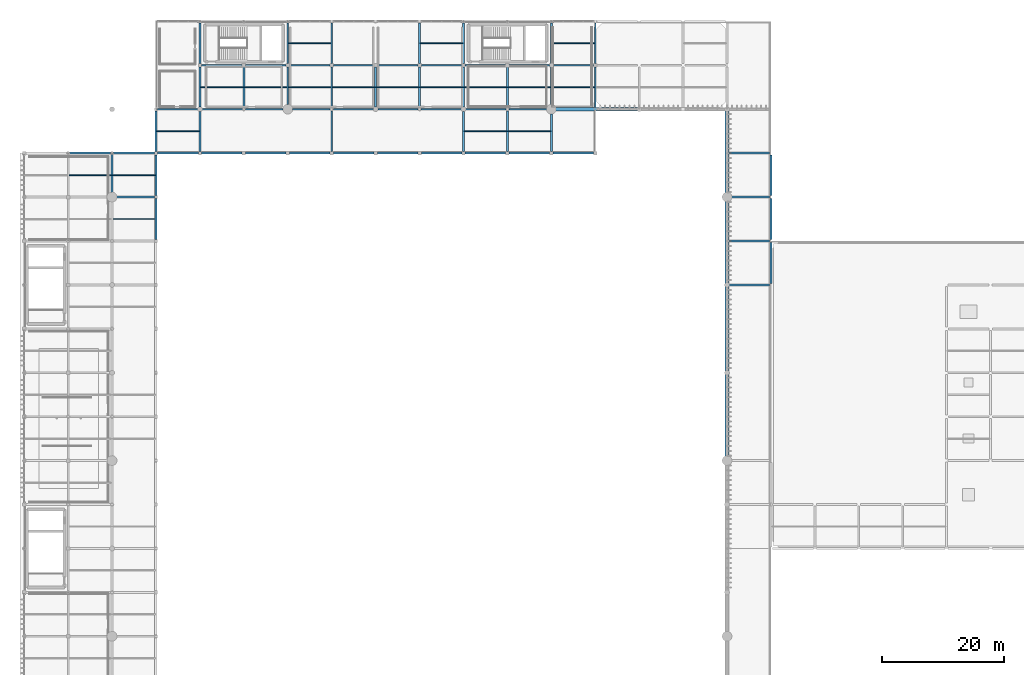
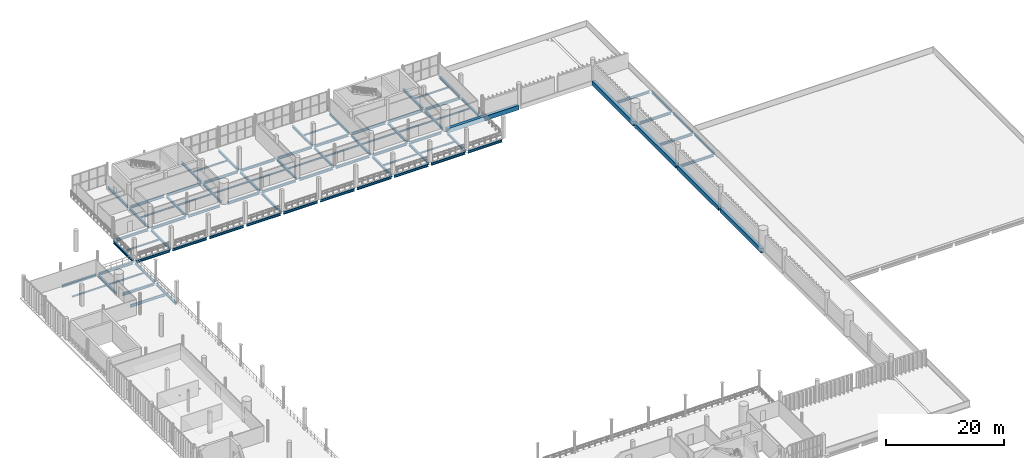
# One storey, part 41 of 81: 87 beams.
"""IFC4 building model written with IfcOpenShell, lengths in metres."""

from ifc_helpers import new_model, si_unit, direction, frame, origin, origin_2d, place, context, subcontext, project, spatial, rectangle, i_section, extrude, material, material_profile, profile_set, type_object, element, save


model = new_model("IFC4")

# Units and contexts
model_context = context("Model", 3, precision=1e-05, world=origin(), true_north=direction((0.0, 1.0)))
body_context = subcontext(model_context, "Body", "Model", "MODEL_VIEW")
ifc_project = project(units=[si_unit("LENGTHUNIT", "METRE"), si_unit("AREAUNIT", "SQUARE_METRE"), si_unit("VOLUMEUNIT", "CUBIC_METRE"), si_unit("PLANEANGLEUNIT", "RADIAN"), si_unit("MASSUNIT", "GRAM", prefix="KILO")], contexts=[model_context])

# Site, building, storey
site_placement = place(None, origin())
site = spatial("IfcSite", under=ifc_project, at=site_placement, CompositionType="ELEMENT")
building_placement = place(site_placement, origin())
building = spatial("IfcBuilding", under=site, at=building_placement, Name="Qandorah Velis Arena", CompositionType="ELEMENT")
storey_placement = place(building_placement, frame((0.0, 0.0, 18.60009765625)))
storey = spatial("IfcBuildingStorey", under=building, at=storey_placement, Name="L04", CompositionType="ELEMENT", Elevation=18.60009765625)

# Beams
ifc_material_1 = material(Name="Steel S355", Category="steel")
ifc_material_profile_1 = material_profile(ifc_material_1, i_section(OverallWidth=0.300048828125, OverallDepth=0.449951171875, WebThickness=0.013916015625, FlangeThickness=0.02587890625, FilletRadius=0.027099609375, at=origin_2d()), Name="HEB 450")
ifc_profile_set_1 = profile_set([ifc_material_profile_1], Name="Steel S355")
beam_type_1 = type_object("IfcBeamType", Name="STR-BM-HEB450", PredefinedType="BEAM", material=ifc_profile_set_1)
beam_1_placement = place(storey_placement, frame((14.39990234375, 101.550048828125, -0.4951171875), z_axis=(0.0, 1.0, 0.0), x_axis=(-1.0, 0.0, 0.0)))
element("IfcBeam", 1, at=beam_1_placement, inside=storey, type_object=beam_type_1, Name="Primary floor girder L04 Y-181", PredefinedType="BEAM", context=body_context, shape_type="SweptSolid", body=[
    extrude(i_section(OverallWidth=0.300048828125, OverallDepth=0.449951171875, WebThickness=0.013916015625, FlangeThickness=0.02587890625, FilletRadius=0.027099609375, at=origin_2d()), origin(), (0.0, 0.0, 1.0), 6.199951171875),
])
for number, where, z_axis, x_axis, name in (
    (2, (21.60009765625, 93.875, -0.4951171875), (0.0, 1.0, 0.0), (-1.0, 0.0, 0.0), "Primary floor girder L04 Y-193"),
    (3, (21.60009765625, 101.050048828125, -0.4951171875), (0.0, 1.0, 0.0), (-1.0, 0.0, 0.0), "Primary floor girder L04 Y-194"),
    (4, (21.60009765625, 108.27490234375, -0.4951171875), (0.0, 1.0, 0.0), (-1.0, 0.0, 0.0), "Primary floor girder L04 Y-195"),
):
    element("IfcBeam", number, at=place(storey_placement, frame(where, z_axis=z_axis, x_axis=x_axis)), inside=storey, type_object=beam_type_1, Name=name, PredefinedType="BEAM", context=body_context, shape_type="SweptSolid", body=[
        extrude(i_section(OverallWidth=0.300048828125, OverallDepth=0.449951171875, WebThickness=0.013916015625, FlangeThickness=0.02587890625, FilletRadius=0.027099609375, at=origin_2d()), origin(), (0.0, 0.0, 1.0), 6.675048828125),
    ])
beam_2_placement = place(storey_placement, frame((28.800048828125, 108.27490234375, -0.4951171875), z_axis=(0.0, 1.0, 0.0), x_axis=(-1.0, 0.0, 0.0)))
element("IfcBeam", 5, at=beam_2_placement, inside=storey, type_object=beam_type_1, Name="Primary floor girder L04 Y-199", PredefinedType="BEAM", context=body_context, shape_type="SweptSolid", body=[
    extrude(i_section(OverallWidth=0.300048828125, OverallDepth=0.449951171875, WebThickness=0.013916015625, FlangeThickness=0.02587890625, FilletRadius=0.027099609375, at=origin_2d()), origin(), (0.0, 0.0, 1.0), 6.5751953125),
])
beam_3_placement = place(storey_placement, frame((28.800048828125, 115.550048828125, -0.4951171875), z_axis=(0.0, 1.0, 0.0), x_axis=(-1.0, 0.0, 0.0)))
element("IfcBeam", 6, at=beam_3_placement, inside=storey, type_object=beam_type_1, Name="Primary floor girder L04 Y-200", PredefinedType="BEAM", context=body_context, shape_type="SweptSolid", body=[
    extrude(i_section(OverallWidth=0.300048828125, OverallDepth=0.449951171875, WebThickness=0.013916015625, FlangeThickness=0.02587890625, FilletRadius=0.027099609375, at=origin_2d()), origin(), (0.0, 0.0, 1.0), 6.574951171875),
])
for number, where, z_axis, x_axis, name in (
    (7, (28.800048828125, 122.675048828125, -0.4951171875), (0.0, 1.0, 0.0), (-1.0, 0.0, 0.0), "Primary floor girder L04 Y-201"),
    (8, (36.0, 115.449951171875, -0.4951171875), (0.0, 1.0, 0.0), (-1.0, 0.0, 0.0), "Primary floor girder L04 Y-203"),
):
    element("IfcBeam", number, at=place(storey_placement, frame(where, z_axis=z_axis, x_axis=x_axis)), inside=storey, type_object=beam_type_1, Name=name, PredefinedType="BEAM", context=body_context, shape_type="SweptSolid", body=[
        extrude(i_section(OverallWidth=0.300048828125, OverallDepth=0.449951171875, WebThickness=0.013916015625, FlangeThickness=0.02587890625, FilletRadius=0.027099609375, at=origin_2d()), origin(), (0.0, 0.0, 1.0), 6.675048828125),
    ])
beam_4_placement = place(storey_placement, frame((43.199951171875, 115.949951171875, -0.4951171875), z_axis=(0.0, 1.0, 0.0), x_axis=(-1.0, 0.0, 0.0)))
element("IfcBeam", 9, at=beam_4_placement, inside=storey, type_object=beam_type_1, Name="Primary floor girder L04 Y-206", PredefinedType="BEAM", context=body_context, shape_type="SweptSolid", body=[
    extrude(i_section(OverallWidth=0.300048828125, OverallDepth=0.449951171875, WebThickness=0.013916015625, FlangeThickness=0.02587890625, FilletRadius=0.027099609375, at=origin_2d()), origin(), (0.0, 0.0, 1.0), 6.175048828125),
])
for number, where, z_axis, x_axis, name in (
    (10, (43.199951171875, 122.675048828125, -0.4951171875), (0.0, 1.0, 0.0), (-1.0, 0.0, 0.0), "Primary floor girder L04 Y-207"),
    (11, (50.39990234375, 108.27490234375, -0.4951171875), (0.0, 1.0, 0.0), (-1.0, 0.0, 0.0), "Primary floor girder L04 Y-211"),
    (12, (50.39990234375, 115.449951171875, -0.4951171875), (0.0, 1.0, 0.0), (-1.0, 0.0, 0.0), "Primary floor girder L04 Y-212"),
    (13, (50.39990234375, 122.675048828125, -0.4951171875), (0.0, 1.0, 0.0), (-1.0, 0.0, 0.0), "Primary floor girder L04 Y-213"),
):
    element("IfcBeam", number, at=place(storey_placement, frame(where, z_axis=z_axis, x_axis=x_axis)), inside=storey, type_object=beam_type_1, Name=name, PredefinedType="BEAM", context=body_context, shape_type="SweptSolid", body=[
        extrude(i_section(OverallWidth=0.300048828125, OverallDepth=0.449951171875, WebThickness=0.013916015625, FlangeThickness=0.02587890625, FilletRadius=0.027099609375, at=origin_2d()), origin(), (0.0, 0.0, 1.0), 6.675048828125),
    ])
beam_5_placement = place(storey_placement, frame((57.60009765625, 115.550048828125, -0.4951171875), z_axis=(0.0, 1.0, 0.0), x_axis=(-1.0, 0.0, 0.0)))
element("IfcBeam", 14, at=beam_5_placement, inside=storey, type_object=beam_type_1, Name="Primary floor girder L04 Y-215", PredefinedType="BEAM", context=body_context, shape_type="SweptSolid", body=[
    extrude(i_section(OverallWidth=0.300048828125, OverallDepth=0.449951171875, WebThickness=0.013916015625, FlangeThickness=0.02587890625, FilletRadius=0.027099609375, at=origin_2d()), origin(), (0.0, 0.0, 1.0), 6.574951171875),
])
for number, where, z_axis, x_axis, name in (
    (15, (64.800048828125, 115.449951171875, -0.4951171875), (0.0, 1.0, 0.0), (-1.0, 0.0, 0.0), "Primary floor girder L04 Y-218"),
    (16, (64.800048828125, 122.675048828125, -0.4951171875), (0.0, 1.0, 0.0), (-1.0, 0.0, 0.0), "Primary floor girder L04 Y-219"),
):
    element("IfcBeam", number, at=place(storey_placement, frame(where, z_axis=z_axis, x_axis=x_axis)), inside=storey, type_object=beam_type_1, Name=name, PredefinedType="BEAM", context=body_context, shape_type="SweptSolid", body=[
        extrude(i_section(OverallWidth=0.300048828125, OverallDepth=0.449951171875, WebThickness=0.013916015625, FlangeThickness=0.02587890625, FilletRadius=0.027099609375, at=origin_2d()), origin(), (0.0, 0.0, 1.0), 6.675048828125),
    ])
beam_6_placement = place(storey_placement, frame((72.0, 108.27490234375, -0.4951171875), z_axis=(0.0, 1.0, 0.0), x_axis=(-1.0, 0.0, 0.0)))
element("IfcBeam", 17, at=beam_6_placement, inside=storey, type_object=beam_type_1, Name="Primary floor girder L04 Y-223", PredefinedType="BEAM", context=body_context, shape_type="SweptSolid", body=[
    extrude(i_section(OverallWidth=0.300048828125, OverallDepth=0.449951171875, WebThickness=0.013916015625, FlangeThickness=0.02587890625, FilletRadius=0.027099609375, at=origin_2d()), origin(), (0.0, 0.0, 1.0), 6.5751953125),
])
beam_7_placement = place(storey_placement, frame((72.0, 115.550048828125, -0.4951171875), z_axis=(0.0, 1.0, 0.0), x_axis=(-1.0, 0.0, 0.0)))
element("IfcBeam", 18, at=beam_7_placement, inside=storey, type_object=beam_type_1, Name="Primary floor girder L04 Y-224", PredefinedType="BEAM", context=body_context, shape_type="SweptSolid", body=[
    extrude(i_section(OverallWidth=0.300048828125, OverallDepth=0.449951171875, WebThickness=0.013916015625, FlangeThickness=0.02587890625, FilletRadius=0.027099609375, at=origin_2d()), origin(), (0.0, 0.0, 1.0), 6.574951171875),
])
for number, where, z_axis, x_axis, name in (
    (19, (72.0, 122.675048828125, -0.4951171875), (0.0, 1.0, 0.0), (-1.0, 0.0, 0.0), "Primary floor girder L04 Y-225"),
    (20, (79.199951171875, 108.27490234375, -0.4951171875), (0.0, 1.0, 0.0), (-1.0, 0.0, 0.0), "Primary floor girder L04 Y-228"),
    (21, (79.199951171875, 115.449951171875, -0.4951171875), (0.0, 1.0, 0.0), (-1.0, 0.0, 0.0), "Primary floor girder L04 Y-229"),
):
    element("IfcBeam", number, at=place(storey_placement, frame(where, z_axis=z_axis, x_axis=x_axis)), inside=storey, type_object=beam_type_1, Name=name, PredefinedType="BEAM", context=body_context, shape_type="SweptSolid", body=[
        extrude(i_section(OverallWidth=0.300048828125, OverallDepth=0.449951171875, WebThickness=0.013916015625, FlangeThickness=0.02587890625, FilletRadius=0.027099609375, at=origin_2d()), origin(), (0.0, 0.0, 1.0), 6.675048828125),
    ])
for number, where, z_axis, x_axis, name in (
    (22, (86.39990234375, 108.27490234375, -0.4951171875), (0.0, 1.0, 0.0), (-1.0, 0.0, 0.0), "Primary floor girder L04 Y-233"),
    (23, (86.39990234375, 115.949951171875, -0.4951171875), (0.0, 1.0, 0.0), (-1.0, 0.0, 0.0), "Primary floor girder L04 Y-234"),
):
    element("IfcBeam", number, at=place(storey_placement, frame(where, z_axis=z_axis, x_axis=x_axis)), inside=storey, type_object=beam_type_1, Name=name, PredefinedType="BEAM", context=body_context, shape_type="SweptSolid", body=[
        extrude(i_section(OverallWidth=0.300048828125, OverallDepth=0.449951171875, WebThickness=0.013916015625, FlangeThickness=0.02587890625, FilletRadius=0.027099609375, at=origin_2d()), origin(), (0.0, 0.0, 1.0), 6.175048828125),
    ])
for number, where, z_axis, x_axis, name in (
    (24, (86.39990234375, 122.675048828125, -0.4951171875), (0.0, 1.0, 0.0), (-1.0, 0.0, 0.0), "Primary floor girder L04 Y-235"),
    (25, (93.60009765625, 115.449951171875, -0.4951171875), (0.0, 1.0, 0.0), (-1.0, 0.0, 0.0), "Primary floor girder L04 Y-238"),
    (26, (93.60009765625, 122.675048828125, -0.4951171875), (0.0, 1.0, 0.0), (-1.0, 0.0, 0.0), "Primary floor girder L04 Y-239"),
    (27, (122.39990234375, 86.64990234375, -0.4951171875), (0.0, 1.0, 0.0), (-1.0, 0.0, 0.0), "Primary floor girder L04 Y-253"),
    (28, (122.39990234375, 93.875, -0.4951171875), (0.0, 1.0, 0.0), (-1.0, 0.0, 0.0), "Primary floor girder L04 Y-254"),
    (29, (122.39990234375, 101.050048828125, -0.4951171875), (0.0, 1.0, 0.0), (-1.0, 0.0, 0.0), "Primary floor girder L04 Y-255"),
):
    element("IfcBeam", number, at=place(storey_placement, frame(where, z_axis=z_axis, x_axis=x_axis)), inside=storey, type_object=beam_type_1, Name=name, PredefinedType="BEAM", context=body_context, shape_type="SweptSolid", body=[
        extrude(i_section(OverallWidth=0.300048828125, OverallDepth=0.449951171875, WebThickness=0.013916015625, FlangeThickness=0.02587890625, FilletRadius=0.027099609375, at=origin_2d()), origin(), (0.0, 0.0, 1.0), 6.675048828125),
    ])
ifc_material_profile_2 = material_profile(ifc_material_1, i_section(OverallWidth=0.300048828125, OverallDepth=0.5, WebThickness=0.014404296875, FlangeThickness=0.028076171875, FilletRadius=0.027099609375, at=origin_2d()), Name="HEB 500")
ifc_profile_set_2 = profile_set([ifc_material_profile_2], Name="Steel S355")
beam_type_2 = type_object("IfcBeamType", Name="STR-BM-HEB500", PredefinedType="BEAM", material=ifc_profile_set_2)
beam_8_placement = place(storey_placement, frame((115.550048828125, 86.39990234375, -0.52001953125), z_axis=(1.0, 0.0, 0.0), x_axis=(0.0, 1.0, 0.0)))
element("IfcBeam", 30, at=beam_8_placement, inside=storey, type_object=beam_type_2, Name="Primary floor girder L04 X-088", PredefinedType="BEAM", context=body_context, shape_type="SweptSolid", body=[
    extrude(i_section(OverallWidth=0.300048828125, OverallDepth=0.5, WebThickness=0.014404296875, FlangeThickness=0.028076171875, FilletRadius=0.027099609375, at=origin_2d()), origin(), (0.0, 0.0, 1.0), 6.599853515625),
])
beam_9_placement = place(storey_placement, frame((115.47509765625, 93.60009765625, -0.52001953125), z_axis=(1.0, 0.0, 0.0), x_axis=(0.0, 1.0, 0.0)))
element("IfcBeam", 31, at=beam_9_placement, inside=storey, type_object=beam_type_2, Name="Primary floor girder L04 X-094", PredefinedType="BEAM", context=body_context, shape_type="SweptSolid", body=[
    extrude(i_section(OverallWidth=0.300048828125, OverallDepth=0.5, WebThickness=0.014404296875, FlangeThickness=0.028076171875, FilletRadius=0.027099609375, at=origin_2d()), origin(), (0.0, 0.0, 1.0), 6.64990234375),
])
beam_10_placement = place(storey_placement, frame((15.14990234375, 100.800048828125, -0.52001953125), z_axis=(1.0, 0.0, 0.0), x_axis=(0.0, 1.0, 0.0)))
element("IfcBeam", 32, at=beam_10_placement, inside=storey, type_object=beam_type_2, Name="Primary floor girder L04 X-097", PredefinedType="BEAM", context=body_context, shape_type="SweptSolid", body=[
    extrude(i_section(OverallWidth=0.300048828125, OverallDepth=0.5, WebThickness=0.014404296875, FlangeThickness=0.028076171875, FilletRadius=0.027099609375, at=origin_2d()), origin(), (0.0, 0.0, 1.0), 6.2001953125),
])
beam_11_placement = place(storey_placement, frame((115.949951171875, 100.800048828125, -0.52001953125), z_axis=(1.0, 0.0, 0.0), x_axis=(0.0, 1.0, 0.0)))
element("IfcBeam", 33, at=beam_11_placement, inside=storey, type_object=beam_type_2, Name="Primary floor girder L04 X-098", PredefinedType="BEAM", context=body_context, shape_type="SweptSolid", body=[
    extrude(i_section(OverallWidth=0.300048828125, OverallDepth=0.5, WebThickness=0.014404296875, FlangeThickness=0.028076171875, FilletRadius=0.027099609375, at=origin_2d()), origin(), (0.0, 0.0, 1.0), 6.199951171875),
])
beam_12_placement = place(storey_placement, frame((7.449951171875, 108.0, -0.52001953125), z_axis=(1.0, 0.0, 0.0), x_axis=(0.0, 1.0, 0.0)))
element("IfcBeam", 34, at=beam_12_placement, inside=storey, type_object=beam_type_2, Name="Primary floor girder L04 X-100", PredefinedType="BEAM", context=body_context, shape_type="SweptSolid", body=[
    extrude(i_section(OverallWidth=0.300048828125, OverallDepth=0.5, WebThickness=0.014404296875, FlangeThickness=0.028076171875, FilletRadius=0.027099609375, at=origin_2d()), origin(), (0.0, 0.0, 1.0), 6.699951171875),
])
beam_13_placement = place(storey_placement, frame((14.64990234375, 108.0, -0.52001953125), z_axis=(1.0, 0.0, 0.0), x_axis=(0.0, 1.0, 0.0)))
element("IfcBeam", 35, at=beam_13_placement, inside=storey, type_object=beam_type_2, Name="Primary floor girder L04 X-101", PredefinedType="BEAM", context=body_context, shape_type="SweptSolid", body=[
    extrude(i_section(OverallWidth=0.300048828125, OverallDepth=0.5, WebThickness=0.014404296875, FlangeThickness=0.028076171875, FilletRadius=0.027099609375, at=origin_2d()), origin(), (0.0, 0.0, 1.0), 6.675048828125),
])
beam_14_placement = place(storey_placement, frame((21.875, 108.0, -0.52001953125), z_axis=(1.0, 0.0, 0.0), x_axis=(0.0, 1.0, 0.0)))
element("IfcBeam", 36, at=beam_14_placement, inside=storey, type_object=beam_type_2, Name="Primary floor girder L04 X-102", PredefinedType="BEAM", context=body_context, shape_type="SweptSolid", body=[
    extrude(i_section(OverallWidth=0.300048828125, OverallDepth=0.5, WebThickness=0.014404296875, FlangeThickness=0.028076171875, FilletRadius=0.027099609375, at=origin_2d()), origin(), (0.0, 0.0, 1.0), 6.64990234375),
])
for number, where, z_axis, x_axis, name in (
    (37, (29.074951171875, 108.0, -0.52001953125), (1.0, 0.0, 0.0), (0.0, 1.0, 0.0), "Primary floor girder L04 X-103"),
    (38, (36.27490234375, 108.0, -0.52001953125), (1.0, 0.0, 0.0), (0.0, 1.0, 0.0), "Primary floor girder L04 X-104"),
):
    element("IfcBeam", number, at=place(storey_placement, frame(where, z_axis=z_axis, x_axis=x_axis)), inside=storey, type_object=beam_type_2, Name=name, PredefinedType="BEAM", context=body_context, shape_type="SweptSolid", body=[
        extrude(i_section(OverallWidth=0.300048828125, OverallDepth=0.5, WebThickness=0.014404296875, FlangeThickness=0.028076171875, FilletRadius=0.027099609375, at=origin_2d()), origin(), (0.0, 0.0, 1.0), 6.650146484375),
    ])
for number, where, z_axis, x_axis, name in (
    (39, (43.47509765625, 108.0, -0.52001953125), (1.0, 0.0, 0.0), (0.0, 1.0, 0.0), "Primary floor girder L04 X-105"),
    (40, (50.675048828125, 108.0, -0.52001953125), (1.0, 0.0, 0.0), (0.0, 1.0, 0.0), "Primary floor girder L04 X-106"),
    (41, (57.875, 108.0, -0.52001953125), (1.0, 0.0, 0.0), (0.0, 1.0, 0.0), "Primary floor girder L04 X-107"),
):
    element("IfcBeam", number, at=place(storey_placement, frame(where, z_axis=z_axis, x_axis=x_axis)), inside=storey, type_object=beam_type_2, Name=name, PredefinedType="BEAM", context=body_context, shape_type="SweptSolid", body=[
        extrude(i_section(OverallWidth=0.300048828125, OverallDepth=0.5, WebThickness=0.014404296875, FlangeThickness=0.028076171875, FilletRadius=0.027099609375, at=origin_2d()), origin(), (0.0, 0.0, 1.0), 6.64990234375),
    ])
for number, where, z_axis, x_axis, name in (
    (42, (65.074951171875, 108.0, -0.52001953125), (1.0, 0.0, 0.0), (0.0, 1.0, 0.0), "Primary floor girder L04 X-108"),
    (43, (72.27490234375, 108.0, -0.52001953125), (1.0, 0.0, 0.0), (0.0, 1.0, 0.0), "Primary floor girder L04 X-109"),
):
    element("IfcBeam", number, at=place(storey_placement, frame(where, z_axis=z_axis, x_axis=x_axis)), inside=storey, type_object=beam_type_2, Name=name, PredefinedType="BEAM", context=body_context, shape_type="SweptSolid", body=[
        extrude(i_section(OverallWidth=0.300048828125, OverallDepth=0.5, WebThickness=0.014404296875, FlangeThickness=0.028076171875, FilletRadius=0.027099609375, at=origin_2d()), origin(), (0.0, 0.0, 1.0), 6.650146484375),
    ])
for number, where, z_axis, x_axis, name in (
    (44, (79.47509765625, 108.0, -0.52001953125), (1.0, 0.0, 0.0), (0.0, 1.0, 0.0), "Primary floor girder L04 X-110"),
    (45, (86.675048828125, 108.0, -0.52001953125), (1.0, 0.0, 0.0), (0.0, 1.0, 0.0), "Primary floor girder L04 X-111"),
    (46, (115.47509765625, 108.0, -0.52001953125), (1.0, 0.0, 0.0), (0.0, 1.0, 0.0), "Primary floor girder L04 X-112"),
):
    element("IfcBeam", number, at=place(storey_placement, frame(where, z_axis=z_axis, x_axis=x_axis)), inside=storey, type_object=beam_type_2, Name=name, PredefinedType="BEAM", context=body_context, shape_type="SweptSolid", body=[
        extrude(i_section(OverallWidth=0.300048828125, OverallDepth=0.5, WebThickness=0.014404296875, FlangeThickness=0.028076171875, FilletRadius=0.027099609375, at=origin_2d()), origin(), (0.0, 0.0, 1.0), 6.64990234375),
    ])
beam_15_placement = place(storey_placement, frame((21.85009765625, 115.199951171875, -0.52001953125), z_axis=(1.0, 0.0, 0.0), x_axis=(0.0, 1.0, 0.0)))
element("IfcBeam", 47, at=beam_15_placement, inside=storey, type_object=beam_type_2, Name="Primary floor girder L04 X-113", PredefinedType="BEAM", context=body_context, shape_type="SweptSolid", body=[
    extrude(i_section(OverallWidth=0.300048828125, OverallDepth=0.5, WebThickness=0.014404296875, FlangeThickness=0.028076171875, FilletRadius=0.027099609375, at=origin_2d()), origin(), (0.0, 0.0, 1.0), 6.599853515625),
])
beam_16_placement = place(storey_placement, frame((29.14990234375, 115.199951171875, -0.52001953125), z_axis=(1.0, 0.0, 0.0), x_axis=(0.0, 1.0, 0.0)))
element("IfcBeam", 48, at=beam_16_placement, inside=storey, type_object=beam_type_2, Name="Primary floor girder L04 X-114", PredefinedType="BEAM", context=body_context, shape_type="SweptSolid", body=[
    extrude(i_section(OverallWidth=0.300048828125, OverallDepth=0.5, WebThickness=0.014404296875, FlangeThickness=0.028076171875, FilletRadius=0.027099609375, at=origin_2d()), origin(), (0.0, 0.0, 1.0), 6.60009765625),
])
for number, where, z_axis, x_axis, name in (
    (49, (36.25, 115.199951171875, -0.52001953125), (1.0, 0.0, 0.0), (0.0, 1.0, 0.0), "Primary floor girder L04 X-115"),
    (50, (43.949951171875, 115.199951171875, -0.52001953125), (1.0, 0.0, 0.0), (0.0, 1.0, 0.0), "Primary floor girder L04 X-116"),
):
    element("IfcBeam", number, at=place(storey_placement, frame(where, z_axis=z_axis, x_axis=x_axis)), inside=storey, type_object=beam_type_2, Name=name, PredefinedType="BEAM", context=body_context, shape_type="SweptSolid", body=[
        extrude(i_section(OverallWidth=0.300048828125, OverallDepth=0.5, WebThickness=0.014404296875, FlangeThickness=0.028076171875, FilletRadius=0.027099609375, at=origin_2d()), origin(), (0.0, 0.0, 1.0), 6.199951171875),
    ])
for number, where, z_axis, x_axis, name in (
    (51, (50.64990234375, 115.199951171875, -0.52001953125), (1.0, 0.0, 0.0), (0.0, 1.0, 0.0), "Primary floor girder L04 X-117"),
    (52, (57.949951171875, 115.199951171875, -0.52001953125), (1.0, 0.0, 0.0), (0.0, 1.0, 0.0), "Primary floor girder L04 X-118"),
):
    element("IfcBeam", number, at=place(storey_placement, frame(where, z_axis=z_axis, x_axis=x_axis)), inside=storey, type_object=beam_type_2, Name=name, PredefinedType="BEAM", context=body_context, shape_type="SweptSolid", body=[
        extrude(i_section(OverallWidth=0.300048828125, OverallDepth=0.5, WebThickness=0.014404296875, FlangeThickness=0.028076171875, FilletRadius=0.027099609375, at=origin_2d()), origin(), (0.0, 0.0, 1.0), 6.60009765625),
    ])
for number, where, z_axis, x_axis, name in (
    (53, (65.050048828125, 115.199951171875, -0.52001953125), (1.0, 0.0, 0.0), (0.0, 1.0, 0.0), "Primary floor girder L04 X-119"),
    (54, (72.35009765625, 115.199951171875, -0.52001953125), (1.0, 0.0, 0.0), (0.0, 1.0, 0.0), "Primary floor girder L04 X-120"),
):
    element("IfcBeam", number, at=place(storey_placement, frame(where, z_axis=z_axis, x_axis=x_axis)), inside=storey, type_object=beam_type_2, Name=name, PredefinedType="BEAM", context=body_context, shape_type="SweptSolid", body=[
        extrude(i_section(OverallWidth=0.300048828125, OverallDepth=0.5, WebThickness=0.014404296875, FlangeThickness=0.028076171875, FilletRadius=0.027099609375, at=origin_2d()), origin(), (0.0, 0.0, 1.0), 6.599853515625),
    ])
beam_17_placement = place(storey_placement, frame((79.449951171875, 115.199951171875, -0.52001953125), z_axis=(1.0, 0.0, 0.0), x_axis=(0.0, 1.0, 0.0)))
element("IfcBeam", 55, at=beam_17_placement, inside=storey, type_object=beam_type_2, Name="Primary floor girder L04 X-121", PredefinedType="BEAM", context=body_context, shape_type="SweptSolid", body=[
    extrude(i_section(OverallWidth=0.300048828125, OverallDepth=0.5, WebThickness=0.014404296875, FlangeThickness=0.028076171875, FilletRadius=0.027099609375, at=origin_2d()), origin(), (0.0, 0.0, 1.0), 6.199951171875),
])
for number, where, z_axis, x_axis, name in (
    (56, (29.074951171875, 122.39990234375, -0.52001953125), (1.0, 0.0, 0.0), (0.0, 1.0, 0.0), "Primary floor girder L04 X-122"),
    (57, (36.27490234375, 122.39990234375, -0.52001953125), (1.0, 0.0, 0.0), (0.0, 1.0, 0.0), "Primary floor girder L04 X-123"),
):
    element("IfcBeam", number, at=place(storey_placement, frame(where, z_axis=z_axis, x_axis=x_axis)), inside=storey, type_object=beam_type_2, Name=name, PredefinedType="BEAM", context=body_context, shape_type="SweptSolid", body=[
        extrude(i_section(OverallWidth=0.300048828125, OverallDepth=0.5, WebThickness=0.014404296875, FlangeThickness=0.028076171875, FilletRadius=0.027099609375, at=origin_2d()), origin(), (0.0, 0.0, 1.0), 6.650146484375),
    ])
for number, where, z_axis, x_axis, name in (
    (58, (43.47509765625, 122.39990234375, -0.52001953125), (1.0, 0.0, 0.0), (0.0, 1.0, 0.0), "Primary floor girder L04 X-124"),
    (59, (50.675048828125, 122.39990234375, -0.52001953125), (1.0, 0.0, 0.0), (0.0, 1.0, 0.0), "Primary floor girder L04 X-125"),
    (60, (57.875, 122.39990234375, -0.52001953125), (1.0, 0.0, 0.0), (0.0, 1.0, 0.0), "Primary floor girder L04 X-126"),
):
    element("IfcBeam", number, at=place(storey_placement, frame(where, z_axis=z_axis, x_axis=x_axis)), inside=storey, type_object=beam_type_2, Name=name, PredefinedType="BEAM", context=body_context, shape_type="SweptSolid", body=[
        extrude(i_section(OverallWidth=0.300048828125, OverallDepth=0.5, WebThickness=0.014404296875, FlangeThickness=0.028076171875, FilletRadius=0.027099609375, at=origin_2d()), origin(), (0.0, 0.0, 1.0), 6.64990234375),
    ])
for number, where, z_axis, x_axis, name in (
    (61, (65.074951171875, 122.39990234375, -0.52001953125), (1.0, 0.0, 0.0), (0.0, 1.0, 0.0), "Primary floor girder L04 X-127"),
    (62, (72.27490234375, 122.39990234375, -0.52001953125), (1.0, 0.0, 0.0), (0.0, 1.0, 0.0), "Primary floor girder L04 X-128"),
):
    element("IfcBeam", number, at=place(storey_placement, frame(where, z_axis=z_axis, x_axis=x_axis)), inside=storey, type_object=beam_type_2, Name=name, PredefinedType="BEAM", context=body_context, shape_type="SweptSolid", body=[
        extrude(i_section(OverallWidth=0.300048828125, OverallDepth=0.5, WebThickness=0.014404296875, FlangeThickness=0.028076171875, FilletRadius=0.027099609375, at=origin_2d()), origin(), (0.0, 0.0, 1.0), 6.650146484375),
    ])
for number, where, z_axis, x_axis, name in (
    (63, (79.47509765625, 122.39990234375, -0.52001953125), (1.0, 0.0, 0.0), (0.0, 1.0, 0.0), "Primary floor girder L04 X-129"),
    (64, (86.675048828125, 122.39990234375, -0.52001953125), (1.0, 0.0, 0.0), (0.0, 1.0, 0.0), "Primary floor girder L04 X-130"),
):
    element("IfcBeam", number, at=place(storey_placement, frame(where, z_axis=z_axis, x_axis=x_axis)), inside=storey, type_object=beam_type_2, Name=name, PredefinedType="BEAM", context=body_context, shape_type="SweptSolid", body=[
        extrude(i_section(OverallWidth=0.300048828125, OverallDepth=0.5, WebThickness=0.014404296875, FlangeThickness=0.028076171875, FilletRadius=0.027099609375, at=origin_2d()), origin(), (0.0, 0.0, 1.0), 6.64990234375),
    ])
ifc_material_profile_3 = material_profile(ifc_material_1, i_section(OverallWidth=0.159912109375, OverallDepth=0.330078125, WebThickness=0.007568359375, FlangeThickness=0.011474609375, FilletRadius=0.01806640625, at=origin_2d()), Name="IPE 330")
ifc_profile_set_3 = profile_set([ifc_material_profile_3], Name="Steel S355")
beam_type_3 = type_object("IfcBeamType", Name="STR-JST-IPE330", PredefinedType="JOIST", material=ifc_profile_set_3)
beam_18_placement = place(storey_placement, frame((7.3349609375, 104.39990234375, -0.43505859375), z_axis=(1.0, 0.0, 0.0), x_axis=(0.0, 1.0, 0.0)))
element("IfcBeam", 65, at=beam_18_placement, inside=storey, type_object=beam_type_3, Name="Secondary floor joist L04-020", PredefinedType="JOIST", context=body_context, shape_type="SweptSolid", body=[
    extrude(i_section(OverallWidth=0.159912109375, OverallDepth=0.330078125, WebThickness=0.007568359375, FlangeThickness=0.011474609375, FilletRadius=0.01806640625, at=origin_2d()), origin(), (0.0, 0.0, 1.0), 6.929931640625),
])
beam_19_placement = place(storey_placement, frame((14.534912109375, 104.39990234375, -0.43505859375), z_axis=(1.0, 0.0, 0.0), x_axis=(0.0, 1.0, 0.0)))
element("IfcBeam", 66, at=beam_19_placement, inside=storey, type_object=beam_type_3, Name="Secondary floor joist L04-030", PredefinedType="JOIST", context=body_context, shape_type="SweptSolid", body=[
    extrude(i_section(OverallWidth=0.159912109375, OverallDepth=0.330078125, WebThickness=0.007568359375, FlangeThickness=0.011474609375, FilletRadius=0.01806640625, at=origin_2d()), origin(), (0.0, 0.0, 1.0), 6.93017578125),
])
for number, where, z_axis, x_axis, name in (
    (67, (21.735107421875, 111.60009765625, -0.43505859375), (1.0, 0.0, 0.0), (0.0, 1.0, 0.0), "Secondary floor joist L04-032"),
    (68, (28.93505859375, 118.800048828125, -0.43505859375), (1.0, 0.0, 0.0), (0.0, 1.0, 0.0), "Secondary floor joist L04-034"),
    (69, (36.135009765625, 118.800048828125, -0.43505859375), (1.0, 0.0, 0.0), (0.0, 1.0, 0.0), "Secondary floor joist L04-036"),
    (70, (43.3349609375, 118.800048828125, -0.43505859375), (1.0, 0.0, 0.0), (0.0, 1.0, 0.0), "Secondary floor joist L04-039"),
    (71, (43.3349609375, 126.0, -0.43505859375), (1.0, 0.0, 0.0), (0.0, 1.0, 0.0), "Secondary floor joist L04-040"),
):
    element("IfcBeam", number, at=place(storey_placement, frame(where, z_axis=z_axis, x_axis=x_axis)), inside=storey, type_object=beam_type_3, Name=name, PredefinedType="JOIST", context=body_context, shape_type="SweptSolid", body=[
        extrude(i_section(OverallWidth=0.159912109375, OverallDepth=0.330078125, WebThickness=0.007568359375, FlangeThickness=0.011474609375, FilletRadius=0.01806640625, at=origin_2d()), origin(), (0.0, 0.0, 1.0), 6.929931640625),
    ])
beam_20_placement = place(storey_placement, frame((50.534912109375, 118.800048828125, -0.43505859375), z_axis=(1.0, 0.0, 0.0), x_axis=(0.0, 1.0, 0.0)))
element("IfcBeam", 72, at=beam_20_placement, inside=storey, type_object=beam_type_3, Name="Secondary floor joist L04-042", PredefinedType="JOIST", context=body_context, shape_type="SweptSolid", body=[
    extrude(i_section(OverallWidth=0.159912109375, OverallDepth=0.330078125, WebThickness=0.007568359375, FlangeThickness=0.011474609375, FilletRadius=0.01806640625, at=origin_2d()), origin(), (0.0, 0.0, 1.0), 6.93017578125),
])
for number, where, z_axis, x_axis, name in (
    (73, (57.735107421875, 118.800048828125, -0.43505859375), (1.0, 0.0, 0.0), (0.0, 1.0, 0.0), "Secondary floor joist L04-044"),
    (74, (64.93505859375, 118.800048828125, -0.43505859375), (1.0, 0.0, 0.0), (0.0, 1.0, 0.0), "Secondary floor joist L04-047"),
    (75, (64.93505859375, 126.0, -0.43505859375), (1.0, 0.0, 0.0), (0.0, 1.0, 0.0), "Secondary floor joist L04-048"),
    (76, (72.135009765625, 111.60009765625, -0.43505859375), (1.0, 0.0, 0.0), (0.0, 1.0, 0.0), "Secondary floor joist L04-051"),
    (77, (72.135009765625, 118.800048828125, -0.43505859375), (1.0, 0.0, 0.0), (0.0, 1.0, 0.0), "Secondary floor joist L04-052"),
    (78, (79.3349609375, 111.60009765625, -0.43505859375), (1.0, 0.0, 0.0), (0.0, 1.0, 0.0), "Secondary floor joist L04-055"),
    (79, (79.3349609375, 118.800048828125, -0.43505859375), (1.0, 0.0, 0.0), (0.0, 1.0, 0.0), "Secondary floor joist L04-056"),
):
    element("IfcBeam", number, at=place(storey_placement, frame(where, z_axis=z_axis, x_axis=x_axis)), inside=storey, type_object=beam_type_3, Name=name, PredefinedType="JOIST", context=body_context, shape_type="SweptSolid", body=[
        extrude(i_section(OverallWidth=0.159912109375, OverallDepth=0.330078125, WebThickness=0.007568359375, FlangeThickness=0.011474609375, FilletRadius=0.01806640625, at=origin_2d()), origin(), (0.0, 0.0, 1.0), 6.929931640625),
    ])
for number, where, z_axis, x_axis, name in (
    (80, (86.534912109375, 118.800048828125, -0.43505859375), (1.0, 0.0, 0.0), (0.0, 1.0, 0.0), "Secondary floor joist L04-059"),
    (81, (86.534912109375, 126.0, -0.43505859375), (1.0, 0.0, 0.0), (0.0, 1.0, 0.0), "Secondary floor joist L04-060"),
):
    element("IfcBeam", number, at=place(storey_placement, frame(where, z_axis=z_axis, x_axis=x_axis)), inside=storey, type_object=beam_type_3, Name=name, PredefinedType="JOIST", context=body_context, shape_type="SweptSolid", body=[
        extrude(i_section(OverallWidth=0.159912109375, OverallDepth=0.330078125, WebThickness=0.007568359375, FlangeThickness=0.011474609375, FilletRadius=0.01806640625, at=origin_2d()), origin(), (0.0, 0.0, 1.0), 6.93017578125),
    ])
ifc_material_profile_4 = material_profile(ifc_material_1, i_section(OverallWidth=0.2099609375, OverallDepth=0.550048828125, WebThickness=0.010986328125, FlangeThickness=0.01708984375, FilletRadius=0.02392578125, at=origin_2d()), Name="IPE 550")
ifc_profile_set_4 = profile_set([ifc_material_profile_4], Name="Steel S355")
beam_type_4 = type_object("IfcBeamType", Name="STR-JST-IPE550", PredefinedType="JOIST", material=ifc_profile_set_4)
beam_21_placement = place(storey_placement, frame((14.534912109375, 97.199951171875, -0.545166015625), z_axis=(1.0, 0.0, 0.0), x_axis=(0.0, 1.0, 0.0)))
element("IfcBeam", 82, at=beam_21_placement, inside=storey, type_object=beam_type_4, Name="Secondary floor joist L04-029", PredefinedType="JOIST", context=body_context, shape_type="SweptSolid", body=[
    extrude(i_section(OverallWidth=0.2099609375, OverallDepth=0.550048828125, WebThickness=0.010986328125, FlangeThickness=0.01708984375, FilletRadius=0.02392578125, at=origin_2d()), origin(), (0.0, 0.0, 1.0), 6.93017578125),
])
ifc_material_2 = material(Name="Concrete C40/50", Category="concrete")
ifc_material_profile_5 = material_profile(ifc_material_2, rectangle(XDim=0.60009765625, YDim=0.89990234375, at=origin_2d()), Name="RC BM 600x900")
ifc_profile_set_5 = profile_set([ifc_material_profile_5], Name="Concrete C40/50")
beam_type_5 = type_object("IfcBeamType", Name="STR-RCBM-600X900", PredefinedType="BEAM", material=ifc_profile_set_5)
for number, where, z_axis, x_axis, name in (
    (83, (115.199951171875, 57.820068359375, -0.4501953125), (0.0, 1.0, 0.0), (-1.0, 0.0, 0.0), "Drum east ring beam L04-5"),
    (84, (115.199951171875, 72.219970703125, -0.4501953125), (0.0, 1.0, 0.0), (-1.0, 0.0, 0.0), "Drum east ring beam L04-6"),
    (85, (115.199951171875, 86.6201171875, -0.4501953125), (0.0, 1.0, 0.0), (-1.0, 0.0, 0.0), "Drum east ring beam L04-7"),
    (86, (115.199951171875, 101.02001953125, -0.4501953125), (0.0, 1.0, 0.0), (-1.0, 0.0, 0.0), "Drum east ring beam L04-8"),
    (87, (86.6201171875, 115.199951171875, -0.4501953125), (1.0, 0.0, 0.0), (0.0, 1.0, 0.0), "Drum north ring beam L04-6"),
):
    element("IfcBeam", number, at=place(storey_placement, frame(where, z_axis=z_axis, x_axis=x_axis)), inside=storey, type_object=beam_type_5, Name=name, PredefinedType="BEAM", context=body_context, shape_type="SweptSolid", body=[
        extrude(rectangle(XDim=0.60009765625, YDim=0.89990234375, at=origin_2d()), origin(), (0.0, 0.0, 1.0), 13.9599609375),
    ])

save(model, "model.ifc")
